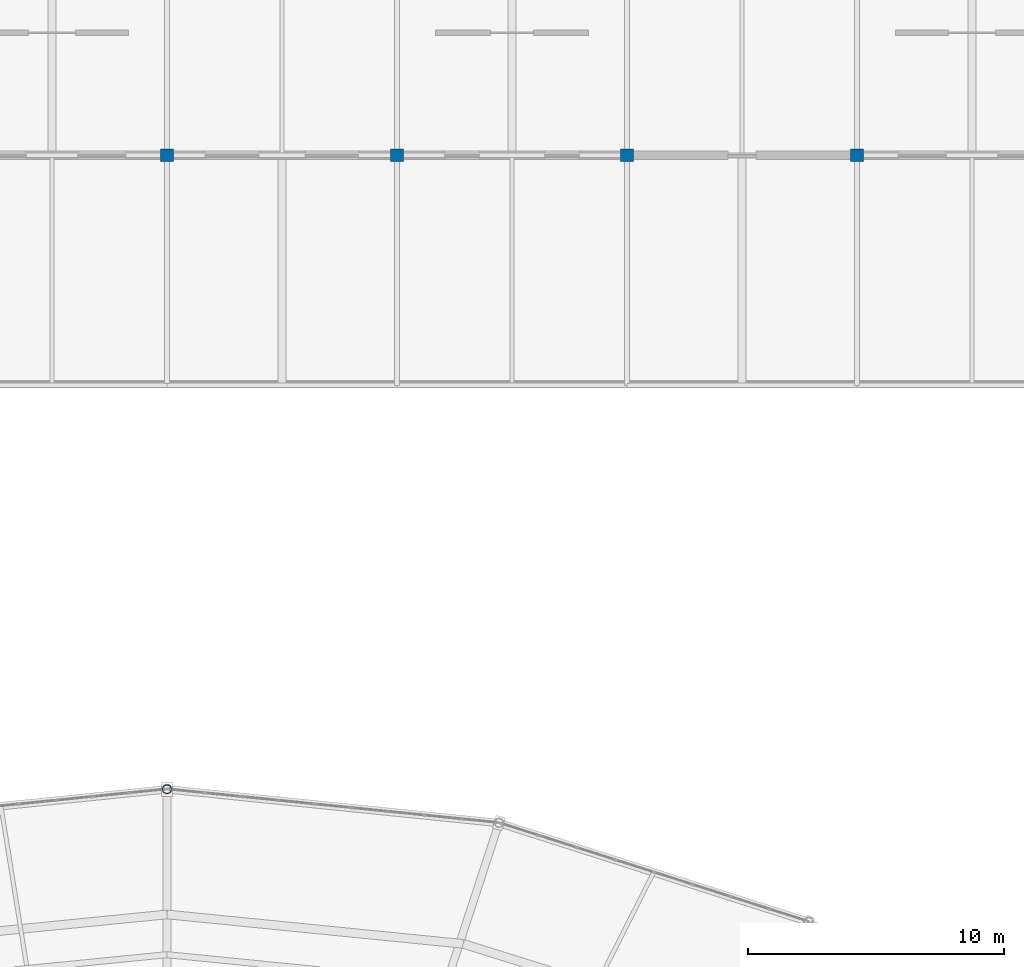
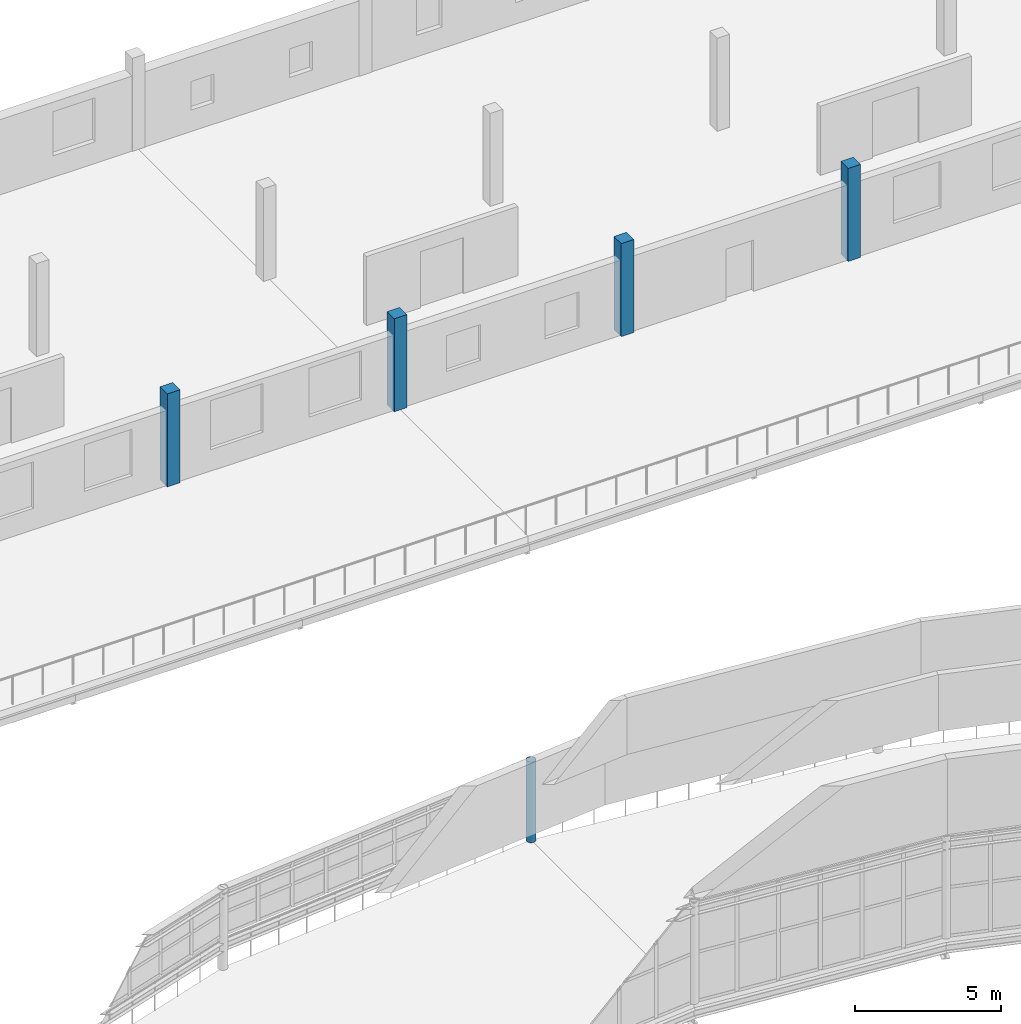
# One storey, part 26 of 123: 5 columns.
"""IFC4 building model written with IfcOpenShell, lengths in metres."""

import ifcopenshell
import ifcopenshell.guid

model = None  # the IFC model being written
_history = None  # IfcOwnerHistory: only IFC2X3 demands one
_inside = {}  # id of a spatial element -> (the spatial element, [elements in it])
_under = {}  # id of a project, library or spatial element -> (it, [spatial elements below it])
_declared = {}  # id of a project -> (the project, [libraries it declares])
_typed = {}  # id of a type object -> (the type object, [elements of that type])
_made_of = {}  # id of a material, layer set ... -> (it, [elements and type objects made of it])


def new_model(schema):
    """Start an empty IFC model of exactly this schema.

    Asked for "IFC4X3", IfcOpenShell would pick the latest addendum, in which some entities
    have other attributes; the version numbers below select the first issue.
    IFC2X3 requires an IfcOwnerHistory on every rooted entity: one is made here for all.
    """
    global model, _history
    if schema == "IFC4X3":
        model = ifcopenshell.file(schema_version=(4, 3, 0, 0))
    else:
        model = ifcopenshell.file(schema=schema)
    _inside.clear()
    _under.clear()
    _declared.clear()
    _typed.clear()
    _made_of.clear()
    _history = None
    if model.schema == "IFC2X3":
        org = make("IfcOrganization", Name="unknown")
        user = make(
            "IfcPersonAndOrganization",
            ThePerson=make("IfcPerson", FamilyName="unknown"),
            TheOrganization=org,
        )
        app = make(
            "IfcApplication",
            ApplicationDeveloper=org,
            Version="unknown",
            ApplicationFullName="unknown",
            ApplicationIdentifier="unknown",
        )
        _history = make(
            "IfcOwnerHistory",
            OwningUser=user,
            OwningApplication=app,
            ChangeAction="ADDED",
            CreationDate=0,
        )
    return model


def make(cls, **values):
    """One entity of the class cls with the attributes given. An attribute that is None is left unset."""
    return model.create_entity(
        cls, **{name: value for name, value in values.items() if value is not None}
    )


def rooted(cls, **values):
    """An entity with a GlobalId (a new one), such as an element, a storey or a relation."""
    return make(cls, GlobalId=ifcopenshell.guid.new(), OwnerHistory=_history, **values)


def si_unit(unit_type, name, prefix=None):
    """IfcSIUnit, for example si_unit("LENGTHUNIT", "METRE", prefix="MILLI")."""
    return make("IfcSIUnit", UnitType=unit_type, Prefix=prefix, Name=name)


def assignment(units):
    """IfcUnitAssignment: the units of a project."""
    return None if units is None else make("IfcUnitAssignment", Units=units)


def point(xyz):
    """IfcCartesianPoint."""
    return None if xyz is None else make("IfcCartesianPoint", Coordinates=xyz)


def direction(xyz):
    """IfcDirection."""
    return None if xyz is None else make("IfcDirection", DirectionRatios=xyz)


def frame(location, z_axis=None, x_axis=None):
    """IfcAxis2Placement3D, a coordinate frame: its origin and axes. An axis left out is left unset."""
    return make(
        "IfcAxis2Placement3D",
        Location=point(location),
        Axis=direction(z_axis),
        RefDirection=direction(x_axis),
    )


def frame_2d(location, x_axis=None):
    """IfcAxis2Placement2D, a coordinate frame in the plane: its origin and x axis."""
    return make(
        "IfcAxis2Placement2D", Location=point(location), RefDirection=direction(x_axis)
    )


def origin():
    """The frame at (0, 0, 0) with its axes left unset."""
    return frame((0.0, 0.0, 0.0))


def origin_2d():
    """The frame at (0, 0) in the plane with its x axis left unset."""
    return frame_2d((0.0, 0.0))


def place(relative_to, where):
    """IfcLocalPlacement: puts the frame where relative to a parent placement (None: the world)."""
    return make(
        "IfcLocalPlacement", PlacementRelTo=relative_to, RelativePlacement=where
    )


def context(
    kind, dimensions, precision=None, world=None, true_north=None, identifier=None
):
    """IfcGeometricRepresentationContext, for example the 3D "Model" context."""
    return make(
        "IfcGeometricRepresentationContext",
        ContextIdentifier=identifier,
        ContextType=kind,
        CoordinateSpaceDimension=dimensions,
        Precision=precision,
        WorldCoordinateSystem=world,
        TrueNorth=true_north,
    )


def subcontext(parent, identifier, kind, view, scale=None):
    """IfcGeometricRepresentationSubContext, for example "Body" below "Model"."""
    return make(
        "IfcGeometricRepresentationSubContext",
        ContextIdentifier=identifier,
        ContextType=kind,
        ParentContext=parent,
        TargetScale=scale,
        TargetView=view,
    )


def project(units=None, contexts=None):
    """IfcProject with its units and contexts."""
    return rooted(
        "IfcProject",
        Name="project",
        RepresentationContexts=contexts,
        UnitsInContext=assignment(units),
    )


def spatial(cls, under=None, at=None, **own):
    """A site, building, storey or space (cls), placed at a placement, below another one or the project."""
    s = rooted(cls, ObjectPlacement=at, **own)
    if under is not None:
        _under.setdefault(under.id(), (under, []))[1].append(s)
    return s


def profile(cls, at=None, kind="AREA", **sizes):
    """A parametric profile (cls). Its sizes go by their IFC names, for example OverallWidth=200.0."""
    return make(cls, ProfileType=kind, Position=at, **sizes)


def rectangle(**sizes):
    """IfcRectangleProfileDef."""
    return profile("IfcRectangleProfileDef", **sizes)


def hollow_circle(**sizes):
    """IfcCircleHollowProfileDef."""
    return profile("IfcCircleHollowProfileDef", **sizes)


def extrude(swept, where, along, depth):
    """IfcExtrudedAreaSolid: the profile swept, set in the frame where, extruded along a direction by depth."""
    return make(
        "IfcExtrudedAreaSolid",
        SweptArea=swept,
        Position=where,
        ExtrudedDirection=direction(along),
        Depth=depth,
    )


def shape(context_of_items, identifier, shape_type, items):
    """IfcShapeRepresentation: the items that make up one representation, for example the "Body"."""
    return make(
        "IfcShapeRepresentation",
        ContextOfItems=context_of_items,
        RepresentationIdentifier=identifier,
        RepresentationType=shape_type,
        Items=items,
    )


def material(Name=None, Category=None):
    """IfcMaterial."""
    return make("IfcMaterial", Name=Name, Category=Category)


def material_profile(
    of_material, cross_section, Name=None, Category=None, Priority=None
):
    """IfcMaterialProfile: a cross section and its material."""
    return make(
        "IfcMaterialProfile",
        Name=Name,
        Material=of_material,
        Profile=cross_section,
        Priority=Priority,
        Category=Category,
    )


def profile_set(profiles, Name=None, composite=None):
    """IfcMaterialProfileSet."""
    return make(
        "IfcMaterialProfileSet",
        Name=Name,
        MaterialProfiles=profiles,
        CompositeProfile=composite,
    )


def made_of(thing, what):
    """Note that an element or type object is made of a material, layer set ...; save() writes the relation."""
    if what is not None:
        _made_of.setdefault(what.id(), (what, []))[1].append(thing)
    return thing


def type_object(cls, material=None, **own):
    """A type object (cls), such as IfcWallType, which elements share."""
    return made_of(rooted(cls, **own), material)


def element(
    cls,
    number,
    at=None,
    inside=None,
    cuts=None,
    type_object=None,
    material=None,
    context=None,
    identifier="Body",
    shape_type=None,
    held_by="IfcProductDefinitionShape",
    body=None,
    shapes=None,
    **own,
):
    """One element of the class cls, such as IfcWall. Its Tag is "e" and its number.

    at: its placement. inside: the storey or other place that contains it. cuts: it is an
    opening in that element (IfcRelVoidsElement). A single representation is given by context,
    identifier, shape_type and body (its items); several are given by shapes. held_by: the class
    of the entity that holds the representations. save() writes the other relations.
    """
    e = rooted(cls, Tag="e%d" % number, ObjectPlacement=at, **own)
    if body is not None:
        shapes = [shape(context, identifier, shape_type, body)]
    if shapes is not None:
        e.Representation = make(held_by, Representations=shapes)
    if inside is not None:
        _inside.setdefault(inside.id(), (inside, []))[1].append(e)
    if cuts is not None:
        rooted(
            "IfcRelVoidsElement", RelatingBuildingElement=cuts, RelatedOpeningElement=e
        )
    if type_object is not None:
        _typed.setdefault(type_object.id(), (type_object, []))[1].append(e)
    return made_of(e, material)


def aggregate(whole, parts):
    """IfcRelAggregates: a whole, such as a stair, and the parts it consists of."""
    return rooted("IfcRelAggregates", RelatingObject=whole, RelatedObjects=parts)


def save(model, path):
    """Write the relations noted so far, then the file.

    IfcRelAggregates (storeys below a building ...), IfcRelContainedInSpatialStructure (elements
    in a storey), IfcRelDefinesByType, IfcRelAssociatesMaterial and IfcRelDeclares: one each for
    every whole, place, type object, material and project.
    """
    for whole, parts in _under.values():
        aggregate(whole, parts)
    for where, things in _inside.values():
        rooted(
            "IfcRelContainedInSpatialStructure",
            RelatedElements=things,
            RelatingStructure=where,
        )
    for kind, things in _typed.values():
        rooted("IfcRelDefinesByType", RelatedObjects=things, RelatingType=kind)
    for what, things in _made_of.values():
        rooted("IfcRelAssociatesMaterial", RelatedObjects=things, RelatingMaterial=what)
    for by, libraries in _declared.values():
        rooted("IfcRelDeclares", RelatingContext=by, RelatedDefinitions=libraries)
    model.write(path)


model = new_model("IFC4")

# Units and contexts
model_context = context("Model", 3, precision=1e-05, world=origin(), true_north=direction((0.0, 1.0)))
body_context = subcontext(model_context, "Body", "Model", "MODEL_VIEW")
ifc_project = project(units=[si_unit("LENGTHUNIT", "METRE"), si_unit("AREAUNIT", "SQUARE_METRE"), si_unit("VOLUMEUNIT", "CUBIC_METRE"), si_unit("PLANEANGLEUNIT", "RADIAN"), si_unit("MASSUNIT", "GRAM", prefix="KILO")], contexts=[model_context])

# Site, building, storey
site_placement = place(None, origin())
site = spatial("IfcSite", under=ifc_project, at=site_placement, CompositionType="ELEMENT")
building_placement = place(site_placement, origin())
building = spatial("IfcBuilding", under=site, at=building_placement, Name="Kildeholm Park Wholesale Market", CompositionType="ELEMENT")
storey_placement = place(building_placement, frame((0.0, 0.0, 9.60009765625)))
storey = spatial("IfcBuildingStorey", under=building, at=storey_placement, Name="L02", CompositionType="ELEMENT", Elevation=9.60009765625)

# Columns
ifc_material_1 = material(Name="Concrete C40/50", Category="concrete")
ifc_material_profile_1 = material_profile(ifc_material_1, rectangle(XDim=0.5, YDim=0.5, at=origin_2d()), Name="RC 500x500")
ifc_profile_set_1 = profile_set([ifc_material_profile_1], Name="Concrete C40/50")
column_type_1 = type_object("IfcColumnType", Name="Column C-R01 RC 500x500", PredefinedType="COLUMN", material=ifc_profile_set_1)
for number, where, z_axis, x_axis, name in (
    (1, (99.0, 153.0, 0.0), (0.0, 0.0, 1.0), (1.0, 0.0, 0.0), "Column V4-099-153 L02 COL-0534"),
    (2, (108.0, 153.0, 0.0), (0.0, 0.0, 1.0), (1.0, 0.0, 0.0), "Column V4-108-153 L02 COL-0545"),
    (3, (117.0, 153.0, 0.0), (0.0, 0.0, 1.0), (1.0, 0.0, 0.0), "Column V4-117-153 L02 COL-0556"),
    (4, (126.0, 153.0, 0.0), (0.0, 0.0, 1.0), (1.0, 0.0, 0.0), "Column V4-126-153 L02 COL-0567"),
):
    element("IfcColumn", number, at=place(storey_placement, frame(where, z_axis=z_axis, x_axis=x_axis)), inside=storey, type_object=column_type_1, Name=name, PredefinedType="COLUMN", context=body_context, shape_type="SweptSolid", body=[
        extrude(rectangle(XDim=0.5, YDim=0.5, at=origin_2d()), origin(), (0.0, 0.0, 1.0), 3.89990234375),
    ])
ifc_material_2 = material(Name="Steel S355", Category="steel")
ifc_material_profile_2 = material_profile(ifc_material_2, hollow_circle(Radius=0.177734375, WallThickness=0.01611328125, at=origin_2d()), Name="CHS 355.6x16")
ifc_profile_set_2 = profile_set([ifc_material_profile_2], Name="Steel S355")
column_type_2 = type_object("IfcColumnType", Name="Column C-S10 CHS 355.6x16", PredefinedType="COLUMN", material=ifc_profile_set_2)
column_placement = place(storey_placement, frame((99.0, 128.199951171875, 0.0), z_axis=(0.0, 0.0, 1.0), x_axis=(0.0, 1.0, 0.0)))
element("IfcColumn", 5, at=column_placement, inside=storey, type_object=column_type_2, Name="Column V1-MD-06 L02 COL-0060", PredefinedType="COLUMN", context=body_context, shape_type="SweptSolid", body=[
    extrude(hollow_circle(Radius=0.177734375, WallThickness=0.01611328125, at=origin_2d()), origin(), (0.0, 0.0, 1.0), 3.3798828125),
])

save(model, "model.ifc")
